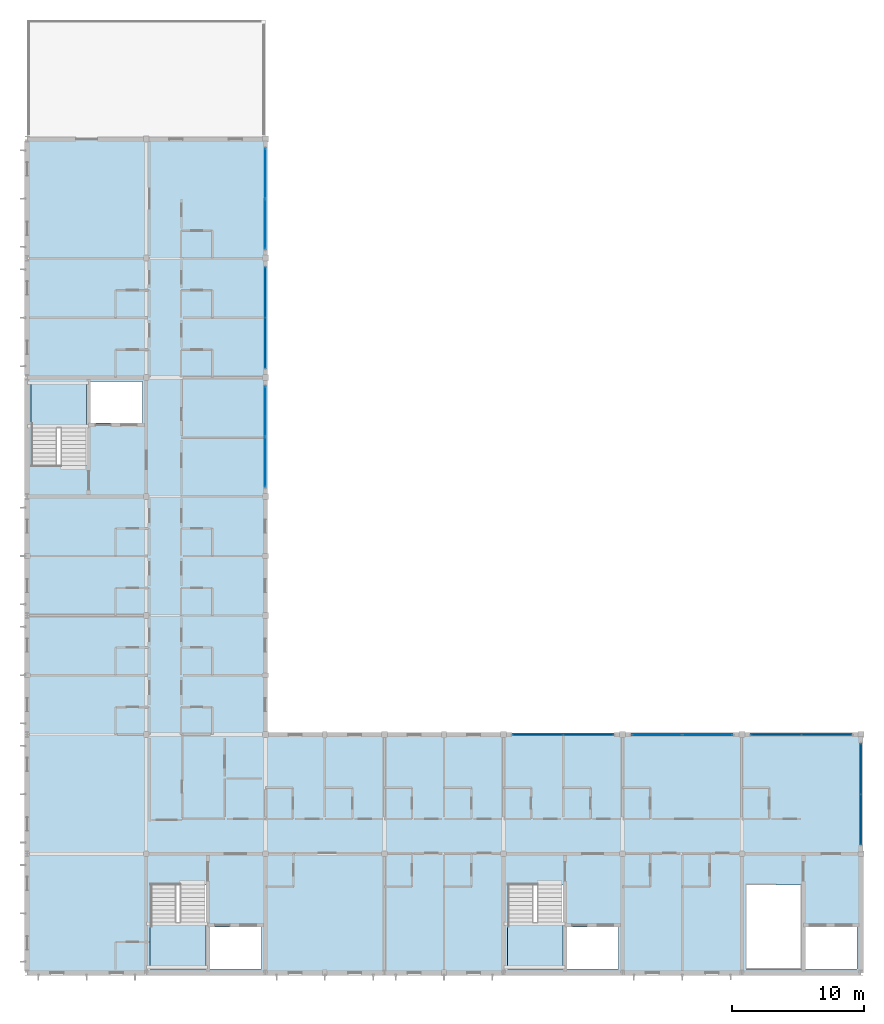
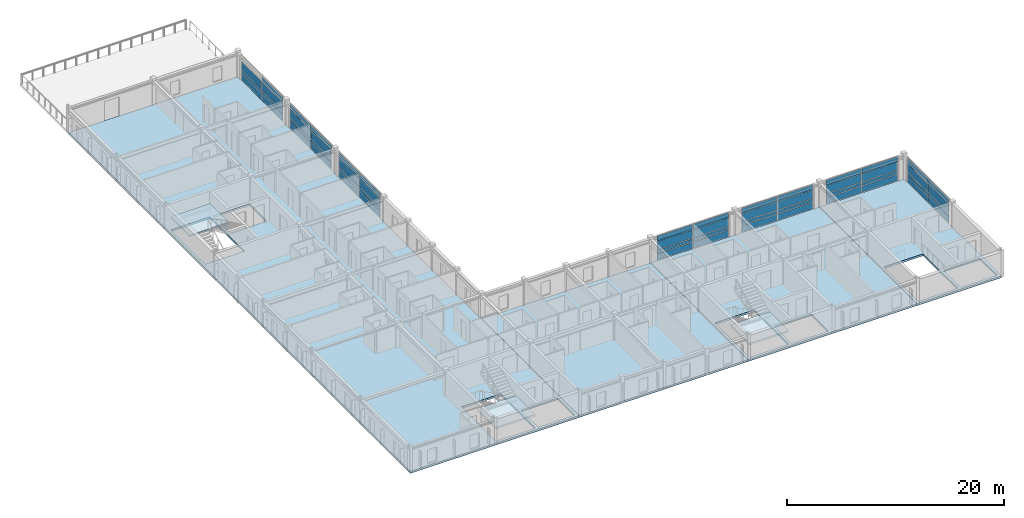
# One storey, part 7 of 20: 55 plates, 7 slabs, 7 elements without a shape of their own.
"""IFC4 building model written with IfcOpenShell, lengths in metres."""

import ifcopenshell
import ifcopenshell.guid

model = None  # the IFC model being written
_history = None  # IfcOwnerHistory: only IFC2X3 demands one
_inside = {}  # id of a spatial element -> (the spatial element, [elements in it])
_under = {}  # id of a project, library or spatial element -> (it, [spatial elements below it])
_declared = {}  # id of a project -> (the project, [libraries it declares])
_typed = {}  # id of a type object -> (the type object, [elements of that type])
_made_of = {}  # id of a material, layer set ... -> (it, [elements and type objects made of it])


def new_model(schema):
    """Start an empty IFC model of exactly this schema.

    Asked for "IFC4X3", IfcOpenShell would pick the latest addendum, in which some entities
    have other attributes; the version numbers below select the first issue.
    IFC2X3 requires an IfcOwnerHistory on every rooted entity: one is made here for all.
    """
    global model, _history
    if schema == "IFC4X3":
        model = ifcopenshell.file(schema_version=(4, 3, 0, 0))
    else:
        model = ifcopenshell.file(schema=schema)
    _inside.clear()
    _under.clear()
    _declared.clear()
    _typed.clear()
    _made_of.clear()
    _history = None
    if model.schema == "IFC2X3":
        org = make("IfcOrganization", Name="unknown")
        user = make(
            "IfcPersonAndOrganization",
            ThePerson=make("IfcPerson", FamilyName="unknown"),
            TheOrganization=org,
        )
        app = make(
            "IfcApplication",
            ApplicationDeveloper=org,
            Version="unknown",
            ApplicationFullName="unknown",
            ApplicationIdentifier="unknown",
        )
        _history = make(
            "IfcOwnerHistory",
            OwningUser=user,
            OwningApplication=app,
            ChangeAction="ADDED",
            CreationDate=0,
        )
    return model


def make(cls, **values):
    """One entity of the class cls with the attributes given. An attribute that is None is left unset."""
    return model.create_entity(
        cls, **{name: value for name, value in values.items() if value is not None}
    )


def rooted(cls, **values):
    """An entity with a GlobalId (a new one), such as an element, a storey or a relation."""
    return make(cls, GlobalId=ifcopenshell.guid.new(), OwnerHistory=_history, **values)


def si_unit(unit_type, name, prefix=None):
    """IfcSIUnit, for example si_unit("LENGTHUNIT", "METRE", prefix="MILLI")."""
    return make("IfcSIUnit", UnitType=unit_type, Prefix=prefix, Name=name)


def assignment(units):
    """IfcUnitAssignment: the units of a project."""
    return None if units is None else make("IfcUnitAssignment", Units=units)


def point(xyz):
    """IfcCartesianPoint."""
    return None if xyz is None else make("IfcCartesianPoint", Coordinates=xyz)


def direction(xyz):
    """IfcDirection."""
    return None if xyz is None else make("IfcDirection", DirectionRatios=xyz)


def frame(location, z_axis=None, x_axis=None):
    """IfcAxis2Placement3D, a coordinate frame: its origin and axes. An axis left out is left unset."""
    return make(
        "IfcAxis2Placement3D",
        Location=point(location),
        Axis=direction(z_axis),
        RefDirection=direction(x_axis),
    )


def frame_2d(location, x_axis=None):
    """IfcAxis2Placement2D, a coordinate frame in the plane: its origin and x axis."""
    return make(
        "IfcAxis2Placement2D", Location=point(location), RefDirection=direction(x_axis)
    )


def origin():
    """The frame at (0, 0, 0) with its axes left unset."""
    return frame((0.0, 0.0, 0.0))


def origin_2d():
    """The frame at (0, 0) in the plane with its x axis left unset."""
    return frame_2d((0.0, 0.0))


def place(relative_to, where):
    """IfcLocalPlacement: puts the frame where relative to a parent placement (None: the world)."""
    return make(
        "IfcLocalPlacement", PlacementRelTo=relative_to, RelativePlacement=where
    )


def context(
    kind, dimensions, precision=None, world=None, true_north=None, identifier=None
):
    """IfcGeometricRepresentationContext, for example the 3D "Model" context."""
    return make(
        "IfcGeometricRepresentationContext",
        ContextIdentifier=identifier,
        ContextType=kind,
        CoordinateSpaceDimension=dimensions,
        Precision=precision,
        WorldCoordinateSystem=world,
        TrueNorth=true_north,
    )


def subcontext(parent, identifier, kind, view, scale=None):
    """IfcGeometricRepresentationSubContext, for example "Body" below "Model"."""
    return make(
        "IfcGeometricRepresentationSubContext",
        ContextIdentifier=identifier,
        ContextType=kind,
        ParentContext=parent,
        TargetScale=scale,
        TargetView=view,
    )


def project(units=None, contexts=None):
    """IfcProject with its units and contexts."""
    return rooted(
        "IfcProject",
        Name="project",
        RepresentationContexts=contexts,
        UnitsInContext=assignment(units),
    )


def spatial(cls, under=None, at=None, **own):
    """A site, building, storey or space (cls), placed at a placement, below another one or the project."""
    s = rooted(cls, ObjectPlacement=at, **own)
    if under is not None:
        _under.setdefault(under.id(), (under, []))[1].append(s)
    return s


def polyline(points):
    """IfcPolyline through the points."""
    return make("IfcPolyline", Points=[point(p) for p in points])


def profile(cls, at=None, kind="AREA", **sizes):
    """A parametric profile (cls). Its sizes go by their IFC names, for example OverallWidth=200.0."""
    return make(cls, ProfileType=kind, Position=at, **sizes)


def rectangle(**sizes):
    """IfcRectangleProfileDef."""
    return profile("IfcRectangleProfileDef", **sizes)


def outline(outer, holes=None, kind="AREA"):
    """IfcArbitraryClosedProfileDef: a profile drawn as a closed curve; with holes, ...WithVoids."""
    if holes is None:
        return make("IfcArbitraryClosedProfileDef", ProfileType=kind, OuterCurve=outer)
    return make(
        "IfcArbitraryProfileDefWithVoids",
        ProfileType=kind,
        OuterCurve=outer,
        InnerCurves=holes,
    )


def extrude(swept, where, along, depth):
    """IfcExtrudedAreaSolid: the profile swept, set in the frame where, extruded along a direction by depth."""
    return make(
        "IfcExtrudedAreaSolid",
        SweptArea=swept,
        Position=where,
        ExtrudedDirection=direction(along),
        Depth=depth,
    )


def shape(context_of_items, identifier, shape_type, items):
    """IfcShapeRepresentation: the items that make up one representation, for example the "Body"."""
    return make(
        "IfcShapeRepresentation",
        ContextOfItems=context_of_items,
        RepresentationIdentifier=identifier,
        RepresentationType=shape_type,
        Items=items,
    )


def material(Name=None, Category=None):
    """IfcMaterial."""
    return make("IfcMaterial", Name=Name, Category=Category)


def layer(
    of_material, thickness, ventilated=None, Name=None, Category=None, Priority=None
):
    """IfcMaterialLayer: one layer of a wall or slab, of a material (None: an air gap)."""
    return make(
        "IfcMaterialLayer",
        Material=of_material,
        LayerThickness=thickness,
        IsVentilated=ventilated,
        Name=Name,
        Category=Category,
        Priority=Priority,
    )


def layer_set(layers, Name=None):
    """IfcMaterialLayerSet."""
    return make("IfcMaterialLayerSet", MaterialLayers=layers, LayerSetName=Name)


def made_of(thing, what):
    """Note that an element or type object is made of a material, layer set ...; save() writes the relation."""
    if what is not None:
        _made_of.setdefault(what.id(), (what, []))[1].append(thing)
    return thing


def type_object(cls, material=None, **own):
    """A type object (cls), such as IfcWallType, which elements share."""
    return made_of(rooted(cls, **own), material)


def element(
    cls,
    number,
    at=None,
    inside=None,
    cuts=None,
    type_object=None,
    material=None,
    context=None,
    identifier="Body",
    shape_type=None,
    held_by="IfcProductDefinitionShape",
    body=None,
    shapes=None,
    **own,
):
    """One element of the class cls, such as IfcWall. Its Tag is "e" and its number.

    at: its placement. inside: the storey or other place that contains it. cuts: it is an
    opening in that element (IfcRelVoidsElement). A single representation is given by context,
    identifier, shape_type and body (its items); several are given by shapes. held_by: the class
    of the entity that holds the representations. save() writes the other relations.
    """
    e = rooted(cls, Tag="e%d" % number, ObjectPlacement=at, **own)
    if body is not None:
        shapes = [shape(context, identifier, shape_type, body)]
    if shapes is not None:
        e.Representation = make(held_by, Representations=shapes)
    if inside is not None:
        _inside.setdefault(inside.id(), (inside, []))[1].append(e)
    if cuts is not None:
        rooted(
            "IfcRelVoidsElement", RelatingBuildingElement=cuts, RelatedOpeningElement=e
        )
    if type_object is not None:
        _typed.setdefault(type_object.id(), (type_object, []))[1].append(e)
    return made_of(e, material)


def aggregate(whole, parts):
    """IfcRelAggregates: a whole, such as a stair, and the parts it consists of."""
    return rooted("IfcRelAggregates", RelatingObject=whole, RelatedObjects=parts)


def save(model, path):
    """Write the relations noted so far, then the file.

    IfcRelAggregates (storeys below a building ...), IfcRelContainedInSpatialStructure (elements
    in a storey), IfcRelDefinesByType, IfcRelAssociatesMaterial and IfcRelDeclares: one each for
    every whole, place, type object, material and project.
    """
    for whole, parts in _under.values():
        aggregate(whole, parts)
    for where, things in _inside.values():
        rooted(
            "IfcRelContainedInSpatialStructure",
            RelatedElements=things,
            RelatingStructure=where,
        )
    for kind, things in _typed.values():
        rooted("IfcRelDefinesByType", RelatedObjects=things, RelatingType=kind)
    for what, things in _made_of.values():
        rooted("IfcRelAssociatesMaterial", RelatedObjects=things, RelatingMaterial=what)
    for by, libraries in _declared.values():
        rooted("IfcRelDeclares", RelatingContext=by, RelatedDefinitions=libraries)
    model.write(path)


model = new_model("IFC4")

# Units and contexts
model_context = context("Model", 3, precision=1e-05, world=origin(), true_north=direction((0.0, 1.0)))
body_context = subcontext(model_context, "Body", "Model", "MODEL_VIEW")
ifc_project = project(units=[si_unit("LENGTHUNIT", "METRE"), si_unit("AREAUNIT", "SQUARE_METRE"), si_unit("VOLUMEUNIT", "CUBIC_METRE"), si_unit("PLANEANGLEUNIT", "RADIAN"), si_unit("MASSUNIT", "GRAM", prefix="KILO")], contexts=[model_context])

# Site, building, storey
site_placement = place(None, origin())
site = spatial("IfcSite", under=ifc_project, at=site_placement, CompositionType="ELEMENT")
building_placement = place(site_placement, origin())
building = spatial("IfcBuilding", under=site, at=building_placement, Name="Palais des Congres Ocreval", CompositionType="ELEMENT")
storey_placement = place(building_placement, frame((0.0, 0.0, 20.639892578125)))
storey = spatial("IfcBuildingStorey", under=building, at=storey_placement, Name="L06", CompositionType="ELEMENT", Elevation=20.639892578125)

# Curtain wall, plates
ifc_material_1 = material(Name="Anodized bronze aluminium and low-E glass", Category="glass")
curtain_wall_type = type_object("IfcCurtainWallType", Name="Unitised Curtain Wall 7900x2820", PredefinedType="USERDEFINED", material=ifc_material_1)
curtain_wall_1_placement = place(storey_placement, origin())
curtain_wall_1 = element("IfcCurtainWall", 1, at=curtain_wall_1_placement, inside=storey, type_object=curtain_wall_type, Name="Unitised Curtain Wall CW04 L06", ObjectType="UNITISED CURTAIN WALL", PredefinedType="USERDEFINED")
ifc_material_2 = material(Name="Acoustic triple glazing", Category="glass")
ifc_layer_1 = layer(ifc_material_2, 0.0439453125)
ifc_layer_set_1 = layer_set([ifc_layer_1], Name="Acoustic Laminated Glazing Panel 44 (Acoustic triple glazing)")
plate_type_1 = type_object("IfcPlateType", Name="Acoustic Laminated Glazing Panel 44", PredefinedType="CURTAIN_PANEL", material=ifc_layer_set_1)
plate_1_placement = place(storey_placement, frame((18.0, 60.407470703125, 0.06005859375), z_axis=(0.0, 0.0, 1.0), x_axis=(0.0, -1.0, 0.0)))
plate_1 = element("IfcPlate", 2, at=plate_1_placement, type_object=plate_type_1, Name="Vision Glazing Panel VP02", PredefinedType="CURTAIN_PANEL", context=body_context, shape_type="SweptSolid", body=[
    extrude(rectangle(XDim=3.7451171875, YDim=0.0439453125, at=origin_2d()), origin(), (0.0, 0.0, 1.0), 0.68994140625),
])
plate_2_placement = place(storey_placement, frame((18.0, 60.407470703125, 0.81005859375), z_axis=(0.0, 0.0, 1.0), x_axis=(0.0, -1.0, 0.0)))
plate_2 = element("IfcPlate", 3, at=plate_2_placement, type_object=plate_type_1, Name="Vision Glazing Panel VP02", PredefinedType="CURTAIN_PANEL", context=body_context, shape_type="SweptSolid", body=[
    extrude(rectangle(XDim=3.7451171875, YDim=0.0439453125, at=origin_2d()), origin(), (0.0, 0.0, 1.0), 0.353515625),
])
plate_3_placement = place(storey_placement, frame((18.0, 60.407470703125, 1.2236328125), z_axis=(0.0, 0.0, 1.0), x_axis=(0.0, -1.0, 0.0)))
plate_3 = element("IfcPlate", 4, at=plate_3_placement, type_object=plate_type_1, Name="Vision Glazing Panel VP02", PredefinedType="CURTAIN_PANEL", context=body_context, shape_type="SweptSolid", body=[
    extrude(rectangle(XDim=3.7451171875, YDim=0.0439453125, at=origin_2d()), origin(), (0.0, 0.0, 1.0), 0.91650390625),
])
plate_4_placement = place(storey_placement, frame((18.0, 56.592529296875, 0.06005859375), z_axis=(0.0, 0.0, 1.0), x_axis=(0.0, -1.0, 0.0)))
plate_4 = element("IfcPlate", 5, at=plate_4_placement, type_object=plate_type_1, Name="Vision Glazing Panel VP02", PredefinedType="CURTAIN_PANEL", context=body_context, shape_type="SweptSolid", body=[
    extrude(rectangle(XDim=3.7451171875, YDim=0.0439453125, at=origin_2d()), origin(), (0.0, 0.0, 1.0), 0.68994140625),
])
plate_5_placement = place(storey_placement, frame((18.0, 56.592529296875, 0.81005859375), z_axis=(0.0, 0.0, 1.0), x_axis=(0.0, -1.0, 0.0)))
plate_5 = element("IfcPlate", 6, at=plate_5_placement, type_object=plate_type_1, Name="Vision Glazing Panel VP02", PredefinedType="CURTAIN_PANEL", context=body_context, shape_type="SweptSolid", body=[
    extrude(rectangle(XDim=3.7451171875, YDim=0.0439453125, at=origin_2d()), origin(), (0.0, 0.0, 1.0), 0.353515625),
])
plate_6_placement = place(storey_placement, frame((18.0, 56.592529296875, 1.2236328125), z_axis=(0.0, 0.0, 1.0), x_axis=(0.0, -1.0, 0.0)))
plate_6 = element("IfcPlate", 7, at=plate_6_placement, type_object=plate_type_1, Name="Vision Glazing Panel VP02", PredefinedType="CURTAIN_PANEL", context=body_context, shape_type="SweptSolid", body=[
    extrude(rectangle(XDim=3.7451171875, YDim=0.0439453125, at=origin_2d()), origin(), (0.0, 0.0, 1.0), 0.91650390625),
])

curtain_wall_2_placement = place(storey_placement, origin())
curtain_wall_2 = element("IfcCurtainWall", 8, at=curtain_wall_2_placement, inside=storey, type_object=curtain_wall_type, Name="Unitised Curtain Wall CW04 L06", ObjectType="UNITISED CURTAIN WALL", PredefinedType="USERDEFINED")
plate_7_placement = place(storey_placement, frame((38.59130859375, 18.0, 0.06005859375), z_axis=(0.0, 0.0, 1.0), x_axis=(1.0, 0.0, 0.0)))
plate_7 = element("IfcPlate", 9, at=plate_7_placement, type_object=plate_type_1, Name="Vision Glazing Panel VP02", PredefinedType="CURTAIN_PANEL", context=body_context, shape_type="SweptSolid", body=[
    extrude(rectangle(XDim=3.75244140625, YDim=0.0439453125, at=origin_2d()), origin(), (0.0, 0.0, 1.0), 0.68994140625),
])
plate_8_placement = place(storey_placement, frame((38.59130859375, 18.0, 0.81005859375), z_axis=(0.0, 0.0, 1.0), x_axis=(1.0, 0.0, 0.0)))
plate_8 = element("IfcPlate", 10, at=plate_8_placement, type_object=plate_type_1, Name="Vision Glazing Panel VP02", PredefinedType="CURTAIN_PANEL", context=body_context, shape_type="SweptSolid", body=[
    extrude(rectangle(XDim=3.75244140625, YDim=0.0439453125, at=origin_2d()), origin(), (0.0, 0.0, 1.0), 0.353515625),
])
plate_9_placement = place(storey_placement, frame((38.59130859375, 18.0, 1.2236328125), z_axis=(0.0, 0.0, 1.0), x_axis=(1.0, 0.0, 0.0)))
plate_9 = element("IfcPlate", 11, at=plate_9_placement, type_object=plate_type_1, Name="Vision Glazing Panel VP02", PredefinedType="CURTAIN_PANEL", context=body_context, shape_type="SweptSolid", body=[
    extrude(rectangle(XDim=3.75244140625, YDim=0.0439453125, at=origin_2d()), origin(), (0.0, 0.0, 1.0), 0.91650390625),
])
plate_10_placement = place(storey_placement, frame((42.40869140625, 18.0, 0.06005859375), z_axis=(0.0, 0.0, 1.0), x_axis=(1.0, 0.0, 0.0)))
plate_10 = element("IfcPlate", 12, at=plate_10_placement, type_object=plate_type_1, Name="Vision Glazing Panel VP02", PredefinedType="CURTAIN_PANEL", context=body_context, shape_type="SweptSolid", body=[
    extrude(rectangle(XDim=3.75244140625, YDim=0.0439453125, at=origin_2d()), origin(), (0.0, 0.0, 1.0), 0.68994140625),
])
plate_11_placement = place(storey_placement, frame((42.40869140625, 18.0, 0.81005859375), z_axis=(0.0, 0.0, 1.0), x_axis=(1.0, 0.0, 0.0)))
plate_11 = element("IfcPlate", 13, at=plate_11_placement, type_object=plate_type_1, Name="Vision Glazing Panel VP02", PredefinedType="CURTAIN_PANEL", context=body_context, shape_type="SweptSolid", body=[
    extrude(rectangle(XDim=3.75244140625, YDim=0.0439453125, at=origin_2d()), origin(), (0.0, 0.0, 1.0), 0.353515625),
])
plate_12_placement = place(storey_placement, frame((42.40869140625, 18.0, 1.2236328125), z_axis=(0.0, 0.0, 1.0), x_axis=(1.0, 0.0, 0.0)))
plate_12 = element("IfcPlate", 14, at=plate_12_placement, type_object=plate_type_1, Name="Vision Glazing Panel VP02", PredefinedType="CURTAIN_PANEL", context=body_context, shape_type="SweptSolid", body=[
    extrude(rectangle(XDim=3.75244140625, YDim=0.0439453125, at=origin_2d()), origin(), (0.0, 0.0, 1.0), 0.91650390625),
])

# Plate
ifc_material_3 = material(Name="Anodized bronze aluminium", Category="aluminium")
ifc_layer_2 = layer(ifc_material_3, 0.06005859375)
ifc_layer_set_2 = layer_set([ifc_layer_2], Name="Anodized Bronze Spandrel Cassette 60 (Anodized bronze aluminium)")
plate_type_2 = type_object("IfcPlateType", Name="Anodized Bronze Spandrel Cassette 60", PredefinedType="SHEET", material=ifc_layer_set_2)
plate_13_placement = place(storey_placement, frame((18.0, 56.592529296875, 2.2001953125), z_axis=(0.0, 0.0, 1.0), x_axis=(0.0, -1.0, 0.0)))
plate_13 = element("IfcPlate", 15, at=plate_13_placement, type_object=plate_type_2, Name="Spandrel Sheet SPN1", PredefinedType="SHEET", context=body_context, shape_type="SweptSolid", body=[
    extrude(rectangle(XDim=3.7451171875, YDim=0.06005859375, at=origin_2d()), origin(), (0.0, 0.0, 1.0), 0.56005859375),
])

aggregate(curtain_wall_1, [plate_1, plate_2, plate_3, plate_4, plate_5, plate_6, plate_13])

# Curtain wall, plates
curtain_wall_3_placement = place(storey_placement, origin())
curtain_wall_3 = element("IfcCurtainWall", 16, at=curtain_wall_3_placement, inside=storey, type_object=curtain_wall_type, Name="Unitised Curtain Wall CW04 L06", ObjectType="UNITISED CURTAIN WALL", PredefinedType="USERDEFINED")
plate_14_placement = place(storey_placement, frame((18.0, 42.407470703125, 2.2001953125), z_axis=(0.0, 0.0, 1.0), x_axis=(0.0, -1.0, 0.0)))
plate_14 = element("IfcPlate", 17, at=plate_14_placement, type_object=plate_type_2, Name="Spandrel Sheet SPN1", PredefinedType="SHEET", context=body_context, shape_type="SweptSolid", body=[
    extrude(rectangle(XDim=3.7451171875, YDim=0.06005859375, at=origin_2d()), origin(), (0.0, 0.0, 1.0), 0.56005859375),
])
plate_15_placement = place(storey_placement, frame((18.0, 38.592529296875, 2.2001953125), z_axis=(0.0, 0.0, 1.0), x_axis=(0.0, -1.0, 0.0)))
plate_15 = element("IfcPlate", 18, at=plate_15_placement, type_object=plate_type_2, Name="Spandrel Sheet SPN1", PredefinedType="SHEET", context=body_context, shape_type="SweptSolid", body=[
    extrude(rectangle(XDim=3.7451171875, YDim=0.06005859375, at=origin_2d()), origin(), (0.0, 0.0, 1.0), 0.56005859375),
])

curtain_wall_4_placement = place(storey_placement, origin())
curtain_wall_4 = element("IfcCurtainWall", 19, at=curtain_wall_4_placement, inside=storey, type_object=curtain_wall_type, Name="Unitised Curtain Wall CW04 L06", ObjectType="UNITISED CURTAIN WALL", PredefinedType="USERDEFINED")
plate_16_placement = place(storey_placement, frame((47.592529296875, 18.0, 2.2001953125), z_axis=(0.0, 0.0, 1.0), x_axis=(1.0, 0.0, 0.0)))
plate_16 = element("IfcPlate", 20, at=plate_16_placement, type_object=plate_type_2, Name="Spandrel Sheet SPN1", PredefinedType="SHEET", context=body_context, shape_type="SweptSolid", body=[
    extrude(rectangle(XDim=3.7451171875, YDim=0.06005859375, at=origin_2d()), origin(), (0.0, 0.0, 1.0), 0.56005859375),
])
plate_17_placement = place(storey_placement, frame((51.407470703125, 18.0, 2.2001953125), z_axis=(0.0, 0.0, 1.0), x_axis=(1.0, 0.0, 0.0)))
plate_17 = element("IfcPlate", 21, at=plate_17_placement, type_object=plate_type_2, Name="Spandrel Sheet SPN1", PredefinedType="SHEET", context=body_context, shape_type="SweptSolid", body=[
    extrude(rectangle(XDim=3.7451171875, YDim=0.06005859375, at=origin_2d()), origin(), (0.0, 0.0, 1.0), 0.56005859375),
])

curtain_wall_5_placement = place(storey_placement, origin())
curtain_wall_5 = element("IfcCurtainWall", 22, at=curtain_wall_5_placement, inside=storey, type_object=curtain_wall_type, Name="Unitised Curtain Wall CW04 L06", ObjectType="UNITISED CURTAIN WALL", PredefinedType="USERDEFINED")
ifc_material_4 = material(Name="Low-E solar-control double glazing", Category="glass")
ifc_layer_3 = layer(ifc_material_4, 0.031982421875)
ifc_layer_set_3 = layer_set([ifc_layer_3], Name="Galleria Clear Vision Panel 32 (Low-E solar-control double glazing)")
plate_type_3 = type_object("IfcPlateType", Name="Galleria Clear Vision Panel 32", PredefinedType="CURTAIN_PANEL", material=ifc_layer_set_3)
plate_18_placement = place(storey_placement, frame((18.0, 51.40869140625, 0.06005859375), z_axis=(0.0, 0.0, 1.0), x_axis=(0.0, -1.0, 0.0)))
plate_18 = element("IfcPlate", 23, at=plate_18_placement, type_object=plate_type_3, Name="Vision Glazing Panel VP03", PredefinedType="CURTAIN_PANEL", context=body_context, shape_type="SweptSolid", body=[
    extrude(rectangle(XDim=3.75244140625, YDim=0.031982421875, at=origin_2d()), origin(), (0.0, 0.0, 1.0), 0.68994140625),
])
plate_19_placement = place(storey_placement, frame((18.0, 51.40869140625, 0.81005859375), z_axis=(0.0, 0.0, 1.0), x_axis=(0.0, -1.0, 0.0)))
plate_19 = element("IfcPlate", 24, at=plate_19_placement, type_object=plate_type_3, Name="Vision Glazing Panel VP03", PredefinedType="CURTAIN_PANEL", context=body_context, shape_type="SweptSolid", body=[
    extrude(rectangle(XDim=3.75244140625, YDim=0.031982421875, at=origin_2d()), origin(), (0.0, 0.0, 1.0), 0.353515625),
])
plate_20_placement = place(storey_placement, frame((18.0, 51.40869140625, 1.2236328125), z_axis=(0.0, 0.0, 1.0), x_axis=(0.0, -1.0, 0.0)))
plate_20 = element("IfcPlate", 25, at=plate_20_placement, type_object=plate_type_3, Name="Vision Glazing Panel VP03", PredefinedType="CURTAIN_PANEL", context=body_context, shape_type="SweptSolid", body=[
    extrude(rectangle(XDim=3.75244140625, YDim=0.031982421875, at=origin_2d()), origin(), (0.0, 0.0, 1.0), 0.91650390625),
])
plate_21_placement = place(storey_placement, frame((18.0, 47.59130859375, 0.06005859375), z_axis=(0.0, 0.0, 1.0), x_axis=(0.0, -1.0, 0.0)))
plate_21 = element("IfcPlate", 26, at=plate_21_placement, type_object=plate_type_3, Name="Vision Glazing Panel VP03", PredefinedType="CURTAIN_PANEL", context=body_context, shape_type="SweptSolid", body=[
    extrude(rectangle(XDim=3.75244140625, YDim=0.031982421875, at=origin_2d()), origin(), (0.0, 0.0, 1.0), 0.68994140625),
])
plate_22_placement = place(storey_placement, frame((18.0, 47.59130859375, 0.81005859375), z_axis=(0.0, 0.0, 1.0), x_axis=(0.0, -1.0, 0.0)))
plate_22 = element("IfcPlate", 27, at=plate_22_placement, type_object=plate_type_3, Name="Vision Glazing Panel VP03", PredefinedType="CURTAIN_PANEL", context=body_context, shape_type="SweptSolid", body=[
    extrude(rectangle(XDim=3.75244140625, YDim=0.031982421875, at=origin_2d()), origin(), (0.0, 0.0, 1.0), 0.353515625),
])
plate_23_placement = place(storey_placement, frame((18.0, 47.59130859375, 1.2236328125), z_axis=(0.0, 0.0, 1.0), x_axis=(0.0, -1.0, 0.0)))
plate_23 = element("IfcPlate", 28, at=plate_23_placement, type_object=plate_type_3, Name="Vision Glazing Panel VP03", PredefinedType="CURTAIN_PANEL", context=body_context, shape_type="SweptSolid", body=[
    extrude(rectangle(XDim=3.75244140625, YDim=0.031982421875, at=origin_2d()), origin(), (0.0, 0.0, 1.0), 0.91650390625),
])

# Plate
plate_24_placement = place(storey_placement, frame((47.592529296875, 18.0, 0.06005859375), z_axis=(0.0, 0.0, 1.0), x_axis=(1.0, 0.0, 0.0)))
plate_24 = element("IfcPlate", 29, at=plate_24_placement, type_object=plate_type_3, Name="Vision Glazing Panel VP03", PredefinedType="CURTAIN_PANEL", context=body_context, shape_type="SweptSolid", body=[
    extrude(rectangle(XDim=3.7451171875, YDim=0.031982421875, at=origin_2d()), origin(), (0.0, 0.0, 1.0), 0.68994140625),
])

plate_25_placement = place(storey_placement, frame((47.592529296875, 18.0, 0.81005859375), z_axis=(0.0, 0.0, 1.0), x_axis=(1.0, 0.0, 0.0)))
plate_25 = element("IfcPlate", 30, at=plate_25_placement, type_object=plate_type_3, Name="Vision Glazing Panel VP03", PredefinedType="CURTAIN_PANEL", context=body_context, shape_type="SweptSolid", body=[
    extrude(rectangle(XDim=3.7451171875, YDim=0.031982421875, at=origin_2d()), origin(), (0.0, 0.0, 1.0), 0.353515625),
])

plate_26_placement = place(storey_placement, frame((47.592529296875, 18.0, 1.2236328125), z_axis=(0.0, 0.0, 1.0), x_axis=(1.0, 0.0, 0.0)))
plate_26 = element("IfcPlate", 31, at=plate_26_placement, type_object=plate_type_3, Name="Vision Glazing Panel VP03", PredefinedType="CURTAIN_PANEL", context=body_context, shape_type="SweptSolid", body=[
    extrude(rectangle(XDim=3.7451171875, YDim=0.031982421875, at=origin_2d()), origin(), (0.0, 0.0, 1.0), 0.91650390625),
])

plate_27_placement = place(storey_placement, frame((51.407470703125, 18.0, 0.06005859375), z_axis=(0.0, 0.0, 1.0), x_axis=(1.0, 0.0, 0.0)))
plate_27 = element("IfcPlate", 32, at=plate_27_placement, type_object=plate_type_3, Name="Vision Glazing Panel VP03", PredefinedType="CURTAIN_PANEL", context=body_context, shape_type="SweptSolid", body=[
    extrude(rectangle(XDim=3.7451171875, YDim=0.031982421875, at=origin_2d()), origin(), (0.0, 0.0, 1.0), 0.68994140625),
])

plate_28_placement = place(storey_placement, frame((51.407470703125, 18.0, 0.81005859375), z_axis=(0.0, 0.0, 1.0), x_axis=(1.0, 0.0, 0.0)))
plate_28 = element("IfcPlate", 33, at=plate_28_placement, type_object=plate_type_3, Name="Vision Glazing Panel VP03", PredefinedType="CURTAIN_PANEL", context=body_context, shape_type="SweptSolid", body=[
    extrude(rectangle(XDim=3.7451171875, YDim=0.031982421875, at=origin_2d()), origin(), (0.0, 0.0, 1.0), 0.353515625),
])

plate_29_placement = place(storey_placement, frame((51.407470703125, 18.0, 1.2236328125), z_axis=(0.0, 0.0, 1.0), x_axis=(1.0, 0.0, 0.0)))
plate_29 = element("IfcPlate", 34, at=plate_29_placement, type_object=plate_type_3, Name="Vision Glazing Panel VP03", PredefinedType="CURTAIN_PANEL", context=body_context, shape_type="SweptSolid", body=[
    extrude(rectangle(XDim=3.7451171875, YDim=0.031982421875, at=origin_2d()), origin(), (0.0, 0.0, 1.0), 0.91650390625),
])

aggregate(curtain_wall_4, [plate_24, plate_25, plate_26, plate_16, plate_27, plate_28, plate_29, plate_17])

# Curtain wall, plates
curtain_wall_6_placement = place(storey_placement, origin())
curtain_wall_6 = element("IfcCurtainWall", 35, at=curtain_wall_6_placement, inside=storey, type_object=curtain_wall_type, Name="Unitised Curtain Wall CW04 L06", ObjectType="UNITISED CURTAIN WALL", PredefinedType="USERDEFINED")
ifc_layer_4 = layer(ifc_material_4, 0.035888671875)
ifc_layer_set_4 = layer_set([ifc_layer_4], Name="Low-E Vision Glazing Panel 36 (Low-E solar-control double glazing)")
plate_type_4 = type_object("IfcPlateType", Name="Low-E Vision Glazing Panel 36", PredefinedType="CURTAIN_PANEL", material=ifc_layer_set_4)
plate_30_placement = place(storey_placement, frame((63.0, 15.40869140625, 0.06005859375), z_axis=(0.0, 0.0, 1.0), x_axis=(0.0, -1.0, 0.0)))
plate_30 = element("IfcPlate", 36, at=plate_30_placement, type_object=plate_type_4, Name="Vision Glazing Panel VP01", PredefinedType="CURTAIN_PANEL", context=body_context, shape_type="SweptSolid", body=[
    extrude(rectangle(XDim=3.75244140625, YDim=0.035888671875, at=origin_2d()), origin(), (0.0, 0.0, 1.0), 0.68994140625),
])
plate_31_placement = place(storey_placement, frame((63.0, 15.40869140625, 0.81005859375), z_axis=(0.0, 0.0, 1.0), x_axis=(0.0, -1.0, 0.0)))
plate_31 = element("IfcPlate", 37, at=plate_31_placement, type_object=plate_type_4, Name="Vision Glazing Panel VP01", PredefinedType="CURTAIN_PANEL", context=body_context, shape_type="SweptSolid", body=[
    extrude(rectangle(XDim=3.75244140625, YDim=0.035888671875, at=origin_2d()), origin(), (0.0, 0.0, 1.0), 0.353515625),
])
plate_32_placement = place(storey_placement, frame((63.0, 15.40869140625, 1.2236328125), z_axis=(0.0, 0.0, 1.0), x_axis=(0.0, -1.0, 0.0)))
plate_32 = element("IfcPlate", 38, at=plate_32_placement, type_object=plate_type_4, Name="Vision Glazing Panel VP01", PredefinedType="CURTAIN_PANEL", context=body_context, shape_type="SweptSolid", body=[
    extrude(rectangle(XDim=3.75244140625, YDim=0.035888671875, at=origin_2d()), origin(), (0.0, 0.0, 1.0), 0.91650390625),
])
plate_33_placement = place(storey_placement, frame((63.0, 11.59130859375, 0.06005859375), z_axis=(0.0, 0.0, 1.0), x_axis=(0.0, -1.0, 0.0)))
plate_33 = element("IfcPlate", 39, at=plate_33_placement, type_object=plate_type_4, Name="Vision Glazing Panel VP01", PredefinedType="CURTAIN_PANEL", context=body_context, shape_type="SweptSolid", body=[
    extrude(rectangle(XDim=3.75244140625, YDim=0.035888671875, at=origin_2d()), origin(), (0.0, 0.0, 1.0), 0.68994140625),
])
plate_34_placement = place(storey_placement, frame((63.0, 11.59130859375, 0.81005859375), z_axis=(0.0, 0.0, 1.0), x_axis=(0.0, -1.0, 0.0)))
plate_34 = element("IfcPlate", 40, at=plate_34_placement, type_object=plate_type_4, Name="Vision Glazing Panel VP01", PredefinedType="CURTAIN_PANEL", context=body_context, shape_type="SweptSolid", body=[
    extrude(rectangle(XDim=3.75244140625, YDim=0.035888671875, at=origin_2d()), origin(), (0.0, 0.0, 1.0), 0.353515625),
])
plate_35_placement = place(storey_placement, frame((63.0, 11.59130859375, 1.2236328125), z_axis=(0.0, 0.0, 1.0), x_axis=(0.0, -1.0, 0.0)))
plate_35 = element("IfcPlate", 41, at=plate_35_placement, type_object=plate_type_4, Name="Vision Glazing Panel VP01", PredefinedType="CURTAIN_PANEL", context=body_context, shape_type="SweptSolid", body=[
    extrude(rectangle(XDim=3.75244140625, YDim=0.035888671875, at=origin_2d()), origin(), (0.0, 0.0, 1.0), 0.91650390625),
])

# Plate
plate_36_placement = place(storey_placement, frame((18.0, 42.407470703125, 0.06005859375), z_axis=(0.0, 0.0, 1.0), x_axis=(0.0, -1.0, 0.0)))
plate_36 = element("IfcPlate", 42, at=plate_36_placement, type_object=plate_type_4, Name="Vision Glazing Panel VP01", PredefinedType="CURTAIN_PANEL", context=body_context, shape_type="SweptSolid", body=[
    extrude(rectangle(XDim=3.7451171875, YDim=0.035888671875, at=origin_2d()), origin(), (0.0, 0.0, 1.0), 0.68994140625),
])

plate_37_placement = place(storey_placement, frame((18.0, 42.407470703125, 0.81005859375), z_axis=(0.0, 0.0, 1.0), x_axis=(0.0, -1.0, 0.0)))
plate_37 = element("IfcPlate", 43, at=plate_37_placement, type_object=plate_type_4, Name="Vision Glazing Panel VP01", PredefinedType="CURTAIN_PANEL", context=body_context, shape_type="SweptSolid", body=[
    extrude(rectangle(XDim=3.7451171875, YDim=0.035888671875, at=origin_2d()), origin(), (0.0, 0.0, 1.0), 0.353515625),
])

plate_38_placement = place(storey_placement, frame((18.0, 42.407470703125, 1.2236328125), z_axis=(0.0, 0.0, 1.0), x_axis=(0.0, -1.0, 0.0)))
plate_38 = element("IfcPlate", 44, at=plate_38_placement, type_object=plate_type_4, Name="Vision Glazing Panel VP01", PredefinedType="CURTAIN_PANEL", context=body_context, shape_type="SweptSolid", body=[
    extrude(rectangle(XDim=3.7451171875, YDim=0.035888671875, at=origin_2d()), origin(), (0.0, 0.0, 1.0), 0.91650390625),
])

plate_39_placement = place(storey_placement, frame((18.0, 38.592529296875, 0.06005859375), z_axis=(0.0, 0.0, 1.0), x_axis=(0.0, -1.0, 0.0)))
plate_39 = element("IfcPlate", 45, at=plate_39_placement, type_object=plate_type_4, Name="Vision Glazing Panel VP01", PredefinedType="CURTAIN_PANEL", context=body_context, shape_type="SweptSolid", body=[
    extrude(rectangle(XDim=3.7451171875, YDim=0.035888671875, at=origin_2d()), origin(), (0.0, 0.0, 1.0), 0.68994140625),
])

plate_40_placement = place(storey_placement, frame((18.0, 38.592529296875, 0.81005859375), z_axis=(0.0, 0.0, 1.0), x_axis=(0.0, -1.0, 0.0)))
plate_40 = element("IfcPlate", 46, at=plate_40_placement, type_object=plate_type_4, Name="Vision Glazing Panel VP01", PredefinedType="CURTAIN_PANEL", context=body_context, shape_type="SweptSolid", body=[
    extrude(rectangle(XDim=3.7451171875, YDim=0.035888671875, at=origin_2d()), origin(), (0.0, 0.0, 1.0), 0.353515625),
])

plate_41_placement = place(storey_placement, frame((18.0, 38.592529296875, 1.2236328125), z_axis=(0.0, 0.0, 1.0), x_axis=(0.0, -1.0, 0.0)))
plate_41 = element("IfcPlate", 47, at=plate_41_placement, type_object=plate_type_4, Name="Vision Glazing Panel VP01", PredefinedType="CURTAIN_PANEL", context=body_context, shape_type="SweptSolid", body=[
    extrude(rectangle(XDim=3.7451171875, YDim=0.035888671875, at=origin_2d()), origin(), (0.0, 0.0, 1.0), 0.91650390625),
])

aggregate(curtain_wall_3, [plate_36, plate_37, plate_38, plate_14, plate_39, plate_40, plate_41, plate_15])

# Curtain wall, plates
curtain_wall_7_placement = place(storey_placement, origin())
curtain_wall_7 = element("IfcCurtainWall", 48, at=curtain_wall_7_placement, inside=storey, type_object=curtain_wall_type, Name="Unitised Curtain Wall CW04 L06", ObjectType="UNITISED CURTAIN WALL", PredefinedType="USERDEFINED")
plate_42_placement = place(storey_placement, frame((56.59130859375, 18.0, 0.06005859375), z_axis=(0.0, 0.0, 1.0), x_axis=(1.0, 0.0, 0.0)))
plate_42 = element("IfcPlate", 49, at=plate_42_placement, type_object=plate_type_4, Name="Vision Glazing Panel VP01", PredefinedType="CURTAIN_PANEL", context=body_context, shape_type="SweptSolid", body=[
    extrude(rectangle(XDim=3.75244140625, YDim=0.035888671875, at=origin_2d()), origin(), (0.0, 0.0, 1.0), 0.68994140625),
])
plate_43_placement = place(storey_placement, frame((56.59130859375, 18.0, 0.81005859375), z_axis=(0.0, 0.0, 1.0), x_axis=(1.0, 0.0, 0.0)))
plate_43 = element("IfcPlate", 50, at=plate_43_placement, type_object=plate_type_4, Name="Vision Glazing Panel VP01", PredefinedType="CURTAIN_PANEL", context=body_context, shape_type="SweptSolid", body=[
    extrude(rectangle(XDim=3.75244140625, YDim=0.035888671875, at=origin_2d()), origin(), (0.0, 0.0, 1.0), 0.353515625),
])
plate_44_placement = place(storey_placement, frame((56.59130859375, 18.0, 1.2236328125), z_axis=(0.0, 0.0, 1.0), x_axis=(1.0, 0.0, 0.0)))
plate_44 = element("IfcPlate", 51, at=plate_44_placement, type_object=plate_type_4, Name="Vision Glazing Panel VP01", PredefinedType="CURTAIN_PANEL", context=body_context, shape_type="SweptSolid", body=[
    extrude(rectangle(XDim=3.75244140625, YDim=0.035888671875, at=origin_2d()), origin(), (0.0, 0.0, 1.0), 0.91650390625),
])
plate_45_placement = place(storey_placement, frame((60.40869140625, 18.0, 0.06005859375), z_axis=(0.0, 0.0, 1.0), x_axis=(1.0, 0.0, 0.0)))
plate_45 = element("IfcPlate", 52, at=plate_45_placement, type_object=plate_type_4, Name="Vision Glazing Panel VP01", PredefinedType="CURTAIN_PANEL", context=body_context, shape_type="SweptSolid", body=[
    extrude(rectangle(XDim=3.75244140625, YDim=0.035888671875, at=origin_2d()), origin(), (0.0, 0.0, 1.0), 0.68994140625),
])
plate_46_placement = place(storey_placement, frame((60.40869140625, 18.0, 0.81005859375), z_axis=(0.0, 0.0, 1.0), x_axis=(1.0, 0.0, 0.0)))
plate_46 = element("IfcPlate", 53, at=plate_46_placement, type_object=plate_type_4, Name="Vision Glazing Panel VP01", PredefinedType="CURTAIN_PANEL", context=body_context, shape_type="SweptSolid", body=[
    extrude(rectangle(XDim=3.75244140625, YDim=0.035888671875, at=origin_2d()), origin(), (0.0, 0.0, 1.0), 0.353515625),
])
plate_47_placement = place(storey_placement, frame((60.40869140625, 18.0, 1.2236328125), z_axis=(0.0, 0.0, 1.0), x_axis=(1.0, 0.0, 0.0)))
plate_47 = element("IfcPlate", 54, at=plate_47_placement, type_object=plate_type_4, Name="Vision Glazing Panel VP01", PredefinedType="CURTAIN_PANEL", context=body_context, shape_type="SweptSolid", body=[
    extrude(rectangle(XDim=3.75244140625, YDim=0.035888671875, at=origin_2d()), origin(), (0.0, 0.0, 1.0), 0.91650390625),
])

# Slabs
ifc_material_5 = material(Name="Concrete C40/50", Category="concrete")
ifc_layer_5 = layer(ifc_material_5, 0.219970703125)
ifc_layer_set_5 = layer_set([ifc_layer_5], Name="Post-Tensioned Hotel Slab 220 Concrete C40/50")
slab_type_1 = type_object("IfcSlabType", Name="Post-Tensioned Hotel Slab 220 Concrete C40/50", PredefinedType="FLOOR", material=ifc_layer_set_5)
slab_1_placement = place(storey_placement, frame((0.0, 0.0, -0.219970703125)))
element("IfcSlab", 55, at=slab_1_placement, inside=storey, type_object=slab_type_1, Name="Floor Slab SL11 L06 V4-1", PredefinedType="FLOOR", context=body_context, shape_type="SweptSolid", body=[
    extrude(outline(polyline([(0.0, 0.0), (0.0, 18.0), (0.0, 63.0), (18.0, 63.0), (18.0, 18.0), (18.0, 0.0), (0.0, 0.0)]), holes=[polyline([(13.800048828125, 0.300048828125), (17.699951171875, 0.300048828125), (17.699951171875, 3.449951171875), (13.800048828125, 3.449951171875), (13.800048828125, 0.300048828125)]), polyline([(9.300048828125, 0.300048828125), (13.5, 0.300048828125), (13.5, 6.64990234375), (9.300048828125, 6.64990234375), (9.300048828125, 0.300048828125)]), polyline([(0.300048828125, 38.35009765625), (4.5, 38.35009765625), (4.5, 44.699951171875), (0.300048828125, 44.699951171875), (0.300048828125, 38.35009765625)]), polyline([(4.800048828125, 41.550048828125), (8.699951171875, 41.550048828125), (8.699951171875, 44.699951171875), (4.800048828125, 44.699951171875), (4.800048828125, 41.550048828125)])]), origin(), (0.0, 0.0, 1.0), 0.219970703125),
])
slab_2_placement = place(storey_placement, frame((0.0, 0.0, -0.219970703125)))
element("IfcSlab", 56, at=slab_2_placement, inside=storey, type_object=slab_type_1, Name="Floor Slab SL11 L06 V4-2", PredefinedType="FLOOR", context=body_context, shape_type="SweptSolid", body=[
    extrude(outline(polyline([(18.0, 0.0), (18.0, 18.0), (36.0, 18.0), (36.0, 0.0), (18.0, 0.0)])), origin(), (0.0, 0.0, 1.0), 0.219970703125),
])
slab_3_placement = place(storey_placement, frame((0.0, 0.0, -0.219970703125)))
element("IfcSlab", 57, at=slab_3_placement, inside=storey, type_object=slab_type_1, Name="Floor Slab SL11 L06 V4-3", PredefinedType="FLOOR", context=body_context, shape_type="SweptSolid", body=[
    extrude(outline(polyline([(36.0, 0.0), (36.0, 18.0), (54.0, 18.0), (54.0, 0.0), (36.0, 0.0)]), holes=[polyline([(40.800048828125, 0.300048828125), (44.699951171875, 0.300048828125), (44.699951171875, 3.449951171875), (40.800048828125, 3.449951171875), (40.800048828125, 0.300048828125)]), polyline([(36.300048828125, 0.300048828125), (40.5, 0.300048828125), (40.5, 6.64990234375), (36.300048828125, 6.64990234375), (36.300048828125, 0.300048828125)])]), origin(), (0.0, 0.0, 1.0), 0.219970703125),
])
slab_4_placement = place(storey_placement, frame((0.0, 0.0, -0.219970703125)))
element("IfcSlab", 58, at=slab_4_placement, inside=storey, type_object=slab_type_1, Name="Floor Slab SL11 L06 V4-4", PredefinedType="FLOOR", context=body_context, shape_type="SweptSolid", body=[
    extrude(outline(polyline([(54.0, 0.0), (54.0, 18.0), (63.0, 18.0), (63.0, 0.0), (54.0, 0.0)]), holes=[polyline([(58.800048828125, 0.300048828125), (62.699951171875, 0.300048828125), (62.699951171875, 3.449951171875), (58.800048828125, 3.449951171875), (58.800048828125, 0.300048828125)]), polyline([(54.300048828125, 0.300048828125), (58.5, 0.300048828125), (58.5, 6.64990234375), (54.300048828125, 6.64990234375), (54.300048828125, 0.300048828125)])]), origin(), (0.0, 0.0, 1.0), 0.219970703125),
])
ifc_layer_6 = layer(ifc_material_5, 0.199951171875)
ifc_layer_set_6 = layer_set([ifc_layer_6], Name="Stair and Ramp Landing Slab 200 Concrete C40/50")
slab_type_2 = type_object("IfcSlabType", Name="Stair and Ramp Landing Slab 200 Concrete C40/50", PredefinedType="LANDING", material=ifc_layer_set_6)
slab_5_placement = place(storey_placement, frame((0.0, 0.0, 1.320068359375)))
element("IfcSlab", 59, at=slab_5_placement, inside=storey, type_object=slab_type_2, Name="Stair Half-Landing ST01 L06", PredefinedType="LANDING", context=body_context, shape_type="SweptSolid", body=[
    extrude(outline(polyline([(9.300048828125, 0.300048828125), (13.5, 0.300048828125), (13.5, 3.81494140625), (9.300048828125, 3.81494140625), (9.300048828125, 0.300048828125)])), origin(), (0.0, 0.0, 1.0), 0.199951171875),
])
slab_6_placement = place(storey_placement, frame((0.0, 0.0, 1.320068359375)))
element("IfcSlab", 60, at=slab_6_placement, inside=storey, type_object=slab_type_2, Name="Stair Half-Landing ST02 L06", PredefinedType="LANDING", context=body_context, shape_type="SweptSolid", body=[
    extrude(outline(polyline([(36.300048828125, 0.300048828125), (40.5, 0.300048828125), (40.5, 3.81494140625), (36.300048828125, 3.81494140625), (36.300048828125, 0.300048828125)])), origin(), (0.0, 0.0, 1.0), 0.199951171875),
])
slab_7_placement = place(storey_placement, frame((0.0, 0.0, 1.320068359375)))
element("IfcSlab", 61, at=slab_7_placement, inside=storey, type_object=slab_type_2, Name="Stair Half-Landing ST03 L06", PredefinedType="LANDING", context=body_context, shape_type="SweptSolid", body=[
    extrude(outline(polyline([(0.300048828125, 41.18505859375), (4.5, 41.18505859375), (4.5, 44.699951171875), (0.300048828125, 44.699951171875), (0.300048828125, 41.18505859375)])), origin(), (0.0, 0.0, 1.0), 0.199951171875),
])

# Plate
ifc_material_6 = material(Name="Terracotta ceramic spandrel", Category="masonry")
ifc_layer_7 = layer(ifc_material_6, 0.080078125)
ifc_layer_set_7 = layer_set([ifc_layer_7], Name="Terracotta Insulated Spandrel Sheet 80 (Terracotta ceramic spandrel)")
plate_type_5 = type_object("IfcPlateType", Name="Terracotta Insulated Spandrel Sheet 80", PredefinedType="SHEET", material=ifc_layer_set_7)
plate_48_placement = place(storey_placement, frame((63.0, 15.40869140625, 2.2001953125), z_axis=(0.0, 0.0, 1.0), x_axis=(0.0, -1.0, 0.0)))
plate_48 = element("IfcPlate", 62, at=plate_48_placement, type_object=plate_type_5, Name="Spandrel Sheet SPN2", PredefinedType="SHEET", context=body_context, shape_type="SweptSolid", body=[
    extrude(rectangle(XDim=3.75244140625, YDim=0.080078125, at=origin_2d()), origin(), (0.0, 0.0, 1.0), 0.56005859375),
])

plate_49_placement = place(storey_placement, frame((63.0, 11.59130859375, 2.2001953125), z_axis=(0.0, 0.0, 1.0), x_axis=(0.0, -1.0, 0.0)))
plate_49 = element("IfcPlate", 63, at=plate_49_placement, type_object=plate_type_5, Name="Spandrel Sheet SPN2", PredefinedType="SHEET", context=body_context, shape_type="SweptSolid", body=[
    extrude(rectangle(XDim=3.75244140625, YDim=0.080078125, at=origin_2d()), origin(), (0.0, 0.0, 1.0), 0.56005859375),
])

aggregate(curtain_wall_6, [plate_30, plate_31, plate_32, plate_48, plate_33, plate_34, plate_35, plate_49])

plate_50_placement = place(storey_placement, frame((18.0, 51.40869140625, 2.2001953125), z_axis=(0.0, 0.0, 1.0), x_axis=(0.0, -1.0, 0.0)))
plate_50 = element("IfcPlate", 64, at=plate_50_placement, type_object=plate_type_5, Name="Spandrel Sheet SPN2", PredefinedType="SHEET", context=body_context, shape_type="SweptSolid", body=[
    extrude(rectangle(XDim=3.75244140625, YDim=0.080078125, at=origin_2d()), origin(), (0.0, 0.0, 1.0), 0.56005859375),
])

plate_51_placement = place(storey_placement, frame((18.0, 47.59130859375, 2.2001953125), z_axis=(0.0, 0.0, 1.0), x_axis=(0.0, -1.0, 0.0)))
plate_51 = element("IfcPlate", 65, at=plate_51_placement, type_object=plate_type_5, Name="Spandrel Sheet SPN2", PredefinedType="SHEET", context=body_context, shape_type="SweptSolid", body=[
    extrude(rectangle(XDim=3.75244140625, YDim=0.080078125, at=origin_2d()), origin(), (0.0, 0.0, 1.0), 0.56005859375),
])

aggregate(curtain_wall_5, [plate_18, plate_19, plate_20, plate_50, plate_21, plate_22, plate_23, plate_51])

plate_52_placement = place(storey_placement, frame((38.59130859375, 18.0, 2.2001953125), z_axis=(0.0, 0.0, 1.0), x_axis=(1.0, 0.0, 0.0)))
plate_52 = element("IfcPlate", 66, at=plate_52_placement, type_object=plate_type_5, Name="Spandrel Sheet SPN2", PredefinedType="SHEET", context=body_context, shape_type="SweptSolid", body=[
    extrude(rectangle(XDim=3.75244140625, YDim=0.080078125, at=origin_2d()), origin(), (0.0, 0.0, 1.0), 0.56005859375),
])

plate_53_placement = place(storey_placement, frame((42.40869140625, 18.0, 2.2001953125), z_axis=(0.0, 0.0, 1.0), x_axis=(1.0, 0.0, 0.0)))
plate_53 = element("IfcPlate", 67, at=plate_53_placement, type_object=plate_type_5, Name="Spandrel Sheet SPN2", PredefinedType="SHEET", context=body_context, shape_type="SweptSolid", body=[
    extrude(rectangle(XDim=3.75244140625, YDim=0.080078125, at=origin_2d()), origin(), (0.0, 0.0, 1.0), 0.56005859375),
])

aggregate(curtain_wall_2, [plate_7, plate_8, plate_9, plate_52, plate_10, plate_11, plate_12, plate_53])

plate_54_placement = place(storey_placement, frame((56.59130859375, 18.0, 2.2001953125), z_axis=(0.0, 0.0, 1.0), x_axis=(1.0, 0.0, 0.0)))
plate_54 = element("IfcPlate", 68, at=plate_54_placement, type_object=plate_type_5, Name="Spandrel Sheet SPN2", PredefinedType="SHEET", context=body_context, shape_type="SweptSolid", body=[
    extrude(rectangle(XDim=3.75244140625, YDim=0.080078125, at=origin_2d()), origin(), (0.0, 0.0, 1.0), 0.56005859375),
])

plate_55_placement = place(storey_placement, frame((60.40869140625, 18.0, 2.2001953125), z_axis=(0.0, 0.0, 1.0), x_axis=(1.0, 0.0, 0.0)))
plate_55 = element("IfcPlate", 69, at=plate_55_placement, type_object=plate_type_5, Name="Spandrel Sheet SPN2", PredefinedType="SHEET", context=body_context, shape_type="SweptSolid", body=[
    extrude(rectangle(XDim=3.75244140625, YDim=0.080078125, at=origin_2d()), origin(), (0.0, 0.0, 1.0), 0.56005859375),
])

aggregate(curtain_wall_7, [plate_42, plate_43, plate_44, plate_54, plate_45, plate_46, plate_47, plate_55])

save(model, "model.ifc")
